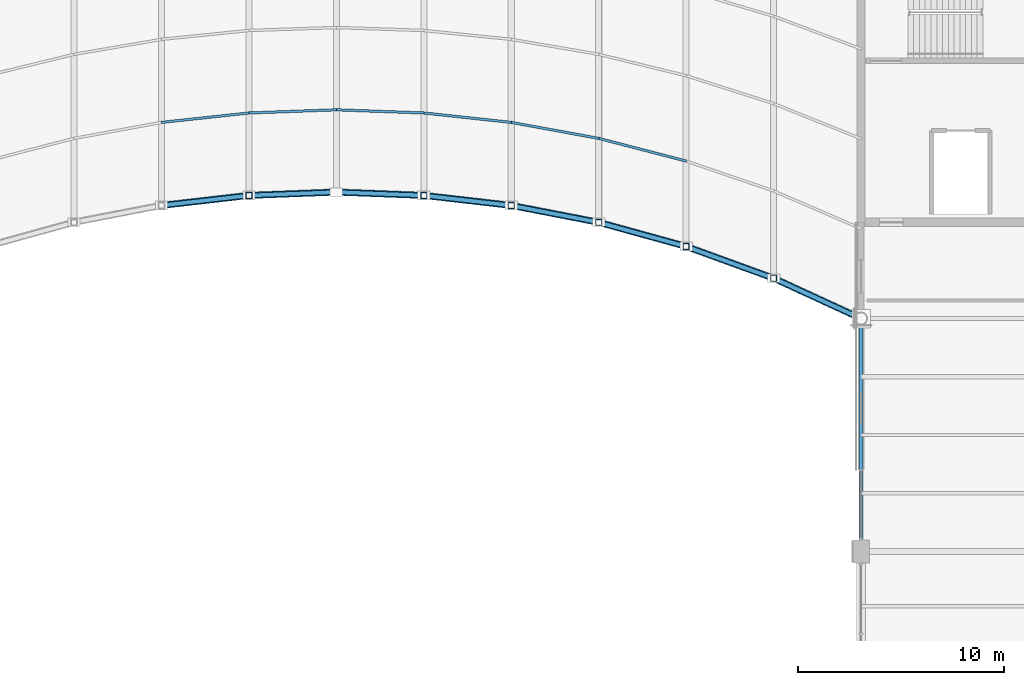
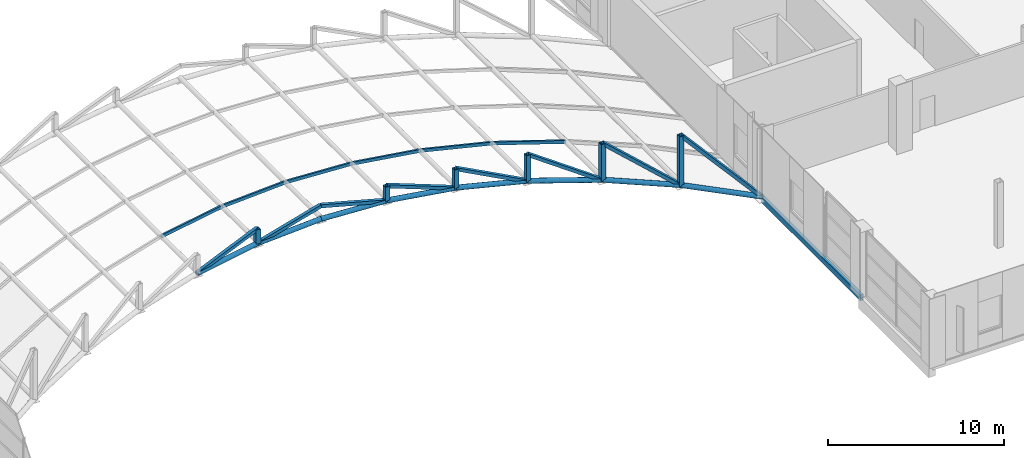
# One storey, part 30 of 101: 28 members, 1 beam.
"""IFC4 building model written with IfcOpenShell, lengths in metres."""

from ifc_helpers import new_model, si_unit, direction, frame, origin, origin_2d, place, context, subcontext, project, spatial, hollow_rectangle, hollow_circle, extrude, material, material_profile, profile_set, type_object, element, save


model = new_model("IFC4")

# Units and contexts
model_context = context("Model", 3, precision=1e-05, world=origin(), true_north=direction((0.0, 1.0)))
body_context = subcontext(model_context, "Body", "Model", "MODEL_VIEW")
ifc_project = project(units=[si_unit("LENGTHUNIT", "METRE"), si_unit("AREAUNIT", "SQUARE_METRE"), si_unit("VOLUMEUNIT", "CUBIC_METRE"), si_unit("PLANEANGLEUNIT", "RADIAN"), si_unit("MASSUNIT", "GRAM", prefix="KILO")], contexts=[model_context])

# Site, building, storey
site_placement = place(None, origin())
site = spatial("IfcSite", under=ifc_project, at=site_placement, CompositionType="ELEMENT")
building_placement = place(site_placement, origin())
building = spatial("IfcBuilding", under=site, at=building_placement, Name="Solvikara Media Centre", CompositionType="ELEMENT")
storey_placement = place(building_placement, frame((0.0, 0.0, 10.199951171875)))
storey = spatial("IfcBuildingStorey", under=building, at=storey_placement, Name="L02", CompositionType="ELEMENT", Elevation=10.199951171875)

# Beam
ifc_material = material(Name="Steel S355JR", Category="steel")
ifc_material_profile_1 = material_profile(ifc_material, hollow_rectangle(XDim=0.199951171875, YDim=0.39990234375, WallThickness=0.011962890625, at=origin_2d()), Name="RHS 400x200x12")
ifc_profile_set_1 = profile_set([ifc_material_profile_1], Name="Steel S355JR")
beam_type = type_object("IfcBeamType", Name="BM-33", PredefinedType="SPANDREL", material=ifc_profile_set_1)
beam_placement = place(storey_placement, frame((127.5, 8.0, -0.44189453125), z_axis=(0.0, 1.0, 0.0), x_axis=(-1.0, 0.0, 0.0)))
element("IfcBeam", 1, at=beam_placement, inside=storey, type_object=beam_type, Name="B-L02-Y0975", PredefinedType="SPANDREL", context=body_context, shape_type="SweptSolid", body=[
    extrude(hollow_rectangle(XDim=0.199951171875, YDim=0.39990234375, WallThickness=0.011962890625, at=origin_2d()), origin(), (0.0, 0.0, 1.0), 11.323974609375),
])

# Members
ifc_material_profile_2 = material_profile(ifc_material, hollow_circle(Radius=0.161865234375, WallThickness=0.012451171875, at=origin_2d()), Name="CHS 323.9x12.5")
ifc_profile_set_2 = profile_set([ifc_material_profile_2], Name="Steel S355JR")
member_type_1 = type_object("IfcMemberType", Name="MB-02", PredefinedType="CHORD", material=ifc_profile_set_2)
member_1_placement = place(storey_placement, frame((93.5, 24.818115234375, 2.944091796875), z_axis=(0.990989060478, 0.113512878366, 0.071102098836), x_axis=(-0.113800903571, 0.993503575407, 0.0)))
element("IfcMember", 2, at=member_1_placement, inside=storey, type_object=member_type_1, Name="ARC-S-CH-04", PredefinedType="CHORD", context=body_context, shape_type="SweptSolid", body=[
    extrude(hollow_circle(Radius=0.161865234375, WallThickness=0.012451171875, at=origin_2d()), origin(), (0.0, 0.0, 1.0), 4.28857421875),
])
for number, where, z_axis, x_axis, name in (
    (3, (97.75, 25.304931640625, 3.2490234375), (0.998991273756, 0.038104906122, 0.02375817942), (-0.038115664855, 0.999273334025, 0.0), "ARC-S-CH-05"),
    (4, (102.0, 25.467041015625, 3.35009765625), (0.998991273756, -0.038104906122, -0.02375817942), (0.038115664855, 0.999273334025, 0.0), "ARC-S-CH-06"),
):
    element("IfcMember", number, at=place(storey_placement, frame(where, z_axis=z_axis, x_axis=x_axis)), inside=storey, type_object=member_type_1, Name=name, PredefinedType="CHORD", context=body_context, shape_type="SweptSolid", body=[
        extrude(hollow_circle(Radius=0.161865234375, WallThickness=0.012451171875, at=origin_2d()), origin(), (0.0, 0.0, 1.0), 4.25439453125),
    ])
member_2_placement = place(storey_placement, frame((106.25, 25.304931640625, 3.2490234375), z_axis=(0.990989060478, -0.113512878366, -0.071102098836), x_axis=(0.113800903571, 0.993503575407, 0.0)))
element("IfcMember", 5, at=member_2_placement, inside=storey, type_object=member_type_1, Name="ARC-S-CH-07", PredefinedType="CHORD", context=body_context, shape_type="SweptSolid", body=[
    extrude(hollow_circle(Radius=0.161865234375, WallThickness=0.012451171875, at=origin_2d()), origin(), (0.0, 0.0, 1.0), 4.28857421875),
])
member_3_placement = place(storey_placement, frame((110.5, 24.818115234375, 2.944091796875), z_axis=(0.975161611913, -0.188612657819, -0.116125345904), x_axis=(0.189897396029, 0.981803941213, 0.0)))
element("IfcMember", 6, at=member_3_placement, inside=storey, type_object=member_type_1, Name="ARC-S-CH-08", PredefinedType="CHORD", context=body_context, shape_type="SweptSolid", body=[
    extrude(hollow_circle(Radius=0.161865234375, WallThickness=0.012451171875, at=origin_2d()), origin(), (0.0, 0.0, 1.0), 4.358154296875),
])
member_4_placement = place(storey_placement, frame((114.75, 23.99609375, 2.43798828125), z_axis=(0.951747866655, -0.262485150954, -0.158989131217), x_axis=(0.265866889221, 0.964009749544, 0.0)))
element("IfcMember", 7, at=member_4_placement, inside=storey, type_object=member_type_1, Name="ARC-S-CH-09", PredefinedType="CHORD", context=body_context, shape_type="SweptSolid", body=[
    extrude(hollow_circle(Radius=0.161865234375, WallThickness=0.012451171875, at=origin_2d()), origin(), (0.0, 0.0, 1.0), 4.465576171875),
])
member_5_placement = place(storey_placement, frame((119.0, 22.823974609375, 1.72802734375), z_axis=(0.921239201685, -0.334880610539, -0.197922484737), x_axis=(0.341639024821, 0.939831249065, 0.0)))
element("IfcMember", 8, at=member_5_placement, inside=storey, type_object=member_type_1, Name="ARC-S-CH-10", PredefinedType="CHORD", context=body_context, shape_type="SweptSolid", body=[
    extrude(hollow_circle(Radius=0.161865234375, WallThickness=0.012451171875, at=origin_2d()), origin(), (0.0, 0.0, 1.0), 4.61328125),
])
member_6_placement = place(storey_placement, frame((123.25, 21.279052734375, 0.81494140625), z_axis=(0.883729951341, -0.406532022653, -0.231847121311), x_axis=(0.417919391673, 0.908484112169, 0.0)))
element("IfcMember", 9, at=member_6_placement, inside=storey, type_object=member_type_1, Name="ARC-S-CH-11", PredefinedType="CHORD", context=body_context, shape_type="SweptSolid", body=[
    extrude(hollow_circle(Radius=0.161865234375, WallThickness=0.012451171875, at=origin_2d()), origin(), (0.0, 0.0, 1.0), 4.80908203125),
])
ifc_material_profile_3 = material_profile(ifc_material, hollow_rectangle(XDim=0.300048828125, YDim=0.300048828125, WallThickness=0.012451171875, at=origin_2d()), Name="RHS 300x300x12.5")
ifc_profile_set_3 = profile_set([ifc_material_profile_3], Name="Steel S355JR")
member_type_2 = type_object("IfcMemberType", Name="MB-11", PredefinedType="CHORD", material=ifc_profile_set_3)
for number, where, z_axis, x_axis, name in (
    (10, (97.75, 25.304931640625, 3.2490234375), (0.0, 0.0, 1.0), (1.0, 0.0, 0.0), "ARC-S-VT-05"),
    (11, (106.25, 25.304931640625, 3.2490234375), (0.0, 0.0, 1.0), (1.0, 0.0, 0.0), "ARC-S-VT-07"),
):
    element("IfcMember", number, at=place(storey_placement, frame(where, z_axis=z_axis, x_axis=x_axis)), inside=storey, type_object=member_type_2, Name=name, PredefinedType="CHORD", context=body_context, shape_type="SweptSolid", body=[
        extrude(hollow_rectangle(XDim=0.300048828125, YDim=0.300048828125, WallThickness=0.012451171875, at=origin_2d()), origin(), (0.0, 0.0, 1.0), 1.041015625),
    ])
member_7_placement = place(storey_placement, frame((110.5, 24.818115234375, 2.944091796875), z_axis=(0.0, 0.0, 1.0), x_axis=(1.0, 0.0, 0.0)))
element("IfcMember", 12, at=member_7_placement, inside=storey, type_object=member_type_2, Name="ARC-S-VT-08", PredefinedType="CHORD", context=body_context, shape_type="SweptSolid", body=[
    extrude(hollow_rectangle(XDim=0.300048828125, YDim=0.300048828125, WallThickness=0.012451171875, at=origin_2d()), origin(), (0.0, 0.0, 1.0), 1.345947265625),
])
member_8_placement = place(storey_placement, frame((114.75, 23.99609375, 2.43798828125), z_axis=(0.0, 0.0, 1.0), x_axis=(1.0, 0.0, 0.0)))
element("IfcMember", 13, at=member_8_placement, inside=storey, type_object=member_type_2, Name="ARC-S-VT-09", PredefinedType="CHORD", context=body_context, shape_type="SweptSolid", body=[
    extrude(hollow_rectangle(XDim=0.300048828125, YDim=0.300048828125, WallThickness=0.012451171875, at=origin_2d()), origin(), (0.0, 0.0, 1.0), 1.85205078125),
])
member_9_placement = place(storey_placement, frame((119.0, 22.823974609375, 1.72802734375), z_axis=(0.0, 0.0, 1.0), x_axis=(1.0, 0.0, 0.0)))
element("IfcMember", 14, at=member_9_placement, inside=storey, type_object=member_type_2, Name="ARC-S-VT-10", PredefinedType="CHORD", context=body_context, shape_type="SweptSolid", body=[
    extrude(hollow_rectangle(XDim=0.300048828125, YDim=0.300048828125, WallThickness=0.012451171875, at=origin_2d()), origin(), (0.0, 0.0, 1.0), 2.56201171875),
])
member_10_placement = place(storey_placement, frame((123.25, 21.279052734375, 0.81494140625), z_axis=(0.0, 0.0, 1.0), x_axis=(1.0, 0.0, 0.0)))
element("IfcMember", 15, at=member_10_placement, inside=storey, type_object=member_type_2, Name="ARC-S-VT-11", PredefinedType="CHORD", context=body_context, shape_type="SweptSolid", body=[
    extrude(hollow_rectangle(XDim=0.300048828125, YDim=0.300048828125, WallThickness=0.012451171875, at=origin_2d()), origin(), (0.0, 0.0, 1.0), 3.47509765625),
])
ifc_material_profile_4 = material_profile(ifc_material, hollow_rectangle(XDim=0.1201171875, YDim=0.219970703125, WallThickness=0.00634765625, at=origin_2d()), Name="RHS 220x120x6.3")
ifc_profile_set_4 = profile_set([ifc_material_profile_4], Name="Steel S355JR")
member_type_3 = type_object("IfcMemberType", Name="MB-16", PredefinedType="PURLIN", material=ifc_profile_set_4)
member_11_placement = place(storey_placement, frame((93.5, 28.85498046875, 3.083984375), z_axis=(0.991694959696, 0.10709940971, 0.071209713903), x_axis=(-0.10737198789, 0.994218917652, 0.0)))
element("IfcMember", 16, at=member_11_placement, inside=storey, type_object=member_type_3, Name="ARC-PRL-04-25", PredefinedType="PURLIN", context=body_context, shape_type="SweptSolid", body=[
    extrude(hollow_rectangle(XDim=0.1201171875, YDim=0.219970703125, WallThickness=0.00634765625, at=origin_2d()), origin(), (0.0, 0.0, 1.0), 4.28564453125),
])
for number, where, z_axis, x_axis, name in (
    (17, (97.75, 29.31396484375, 3.38916015625), (0.999071218904, 0.035984470028, 0.023702689189), (-0.035994582642, 0.999351985049, 0.0), "ARC-PRL-05-25"),
    (18, (102.0, 29.467041015625, 3.489990234375), (0.999071218904, -0.035984470028, -0.023702689189), (0.035994582642, 0.999351985049, 0.0), "ARC-PRL-06-25"),
):
    element("IfcMember", number, at=place(storey_placement, frame(where, z_axis=z_axis, x_axis=x_axis)), inside=storey, type_object=member_type_3, Name=name, PredefinedType="PURLIN", context=body_context, shape_type="SweptSolid", body=[
        extrude(hollow_rectangle(XDim=0.1201171875, YDim=0.219970703125, WallThickness=0.00634765625, at=origin_2d()), origin(), (0.0, 0.0, 1.0), 4.25390625),
    ])
member_12_placement = place(storey_placement, frame((106.25, 29.31396484375, 3.38916015625), z_axis=(0.991694959696, -0.10709940971, -0.071209713903), x_axis=(0.10737198789, 0.994218917652, 0.0)))
element("IfcMember", 19, at=member_12_placement, inside=storey, type_object=member_type_3, Name="ARC-PRL-07-25", PredefinedType="PURLIN", context=body_context, shape_type="SweptSolid", body=[
    extrude(hollow_rectangle(XDim=0.1201171875, YDim=0.219970703125, WallThickness=0.00634765625, at=origin_2d()), origin(), (0.0, 0.0, 1.0), 4.28564453125),
])
member_13_placement = place(storey_placement, frame((110.5, 28.85498046875, 3.083984375), z_axis=(0.977066182976, -0.178372950913, -0.11629602086), x_axis=(0.179591551983, 0.98374126398, 0.0)))
element("IfcMember", 20, at=member_13_placement, inside=storey, type_object=member_type_3, Name="ARC-PRL-08-25", PredefinedType="PURLIN", context=body_context, shape_type="SweptSolid", body=[
    extrude(hollow_rectangle(XDim=0.1201171875, YDim=0.219970703125, WallThickness=0.00634765625, at=origin_2d()), origin(), (0.0, 0.0, 1.0), 4.349853515625),
])
member_14_placement = place(storey_placement, frame((114.75, 28.0791015625, 2.578125), z_axis=(0.95552159622, -0.247992105453, -0.159619531354), x_axis=(0.251213005733, 0.967931829082, 0.0)))
element("IfcMember", 21, at=member_14_placement, inside=storey, type_object=member_type_3, Name="ARC-PRL-09-25", PredefinedType="PURLIN", context=body_context, shape_type="SweptSolid", body=[
    extrude(hollow_rectangle(XDim=0.1201171875, YDim=0.219970703125, WallThickness=0.00634765625, at=origin_2d()), origin(), (0.0, 0.0, 1.0), 4.44775390625),
])
ifc_material_profile_5 = material_profile(ifc_material, hollow_rectangle(XDim=0.219970703125, YDim=0.219970703125, WallThickness=0.010009765625, at=origin_2d()), Name="RHS 220x220x10")
ifc_profile_set_5 = profile_set([ifc_material_profile_5], Name="Steel S355JR")
member_type_4 = type_object("IfcMemberType", Name="MB-30", PredefinedType="BRACE", material=ifc_profile_set_5)
member_15_placement = place(storey_placement, frame((93.5, 24.818115234375, 2.944091796875), z_axis=(0.947701140467, 0.108554461977, 0.300130766739), x_axis=(-0.113800903571, 0.993503575407, 0.0)))
element("IfcMember", 22, at=member_15_placement, inside=storey, type_object=member_type_4, Name="ARC-S-DG-04", PredefinedType="BRACE", context=body_context, shape_type="SweptSolid", body=[
    extrude(hollow_rectangle(XDim=0.219970703125, YDim=0.219970703125, WallThickness=0.010009765625, at=origin_2d()), origin(), (0.0, 0.0, 1.0), 4.484619140625),
])
for number, where, z_axis, x_axis, name in (
    (23, (97.75, 25.304931640625, 3.2490234375), (0.97062089498, 0.037022763917, 0.237748592383), (-0.038115664855, 0.999273334025, 0.0), "ARC-S-DG-05"),
    (24, (102.0, 25.467041015625, 4.2900390625), (0.97062089498, -0.037022763917, -0.237748592383), (0.038115664855, 0.999273334025, 0.0), "ARC-S-DG-06"),
):
    element("IfcMember", number, at=place(storey_placement, frame(where, z_axis=z_axis, x_axis=x_axis)), inside=storey, type_object=member_type_4, Name=name, PredefinedType="BRACE", context=body_context, shape_type="SweptSolid", body=[
        extrude(hollow_rectangle(XDim=0.219970703125, YDim=0.219970703125, WallThickness=0.010009765625, at=origin_2d()), origin(), (0.0, 0.0, 1.0), 4.378662109375),
    ])
member_16_placement = place(storey_placement, frame((106.25, 25.304931640625, 4.2900390625), z_axis=(0.947701140467, -0.108554461977, -0.300130766739), x_axis=(0.113800903571, 0.993503575407, 0.0)))
element("IfcMember", 25, at=member_16_placement, inside=storey, type_object=member_type_4, Name="ARC-S-DG-07", PredefinedType="BRACE", context=body_context, shape_type="SweptSolid", body=[
    extrude(hollow_rectangle(XDim=0.219970703125, YDim=0.219970703125, WallThickness=0.010009765625, at=origin_2d()), origin(), (0.0, 0.0, 1.0), 4.484619140625),
])
member_17_placement = place(storey_placement, frame((110.5, 24.818115234375, 4.2900390625), z_axis=(0.902656727278, -0.174588993609, -0.393356728696), x_axis=(0.189897396029, 0.981803941213, 0.0)))
element("IfcMember", 26, at=member_17_placement, inside=storey, type_object=member_type_4, Name="ARC-S-DG-08", PredefinedType="BRACE", context=body_context, shape_type="SweptSolid", body=[
    extrude(hollow_rectangle(XDim=0.219970703125, YDim=0.219970703125, WallThickness=0.010009765625, at=origin_2d()), origin(), (0.0, 0.0, 1.0), 4.708251953125),
])
member_18_placement = place(storey_placement, frame((114.75, 23.99609375, 4.2900390625), z_axis=(0.833489289463, -0.229870294044, -0.502449253425), x_axis=(0.265866889221, 0.964009749544, 0.0)))
element("IfcMember", 27, at=member_18_placement, inside=storey, type_object=member_type_4, Name="ARC-S-DG-09", PredefinedType="BRACE", context=body_context, shape_type="SweptSolid", body=[
    extrude(hollow_rectangle(XDim=0.219970703125, YDim=0.219970703125, WallThickness=0.010009765625, at=origin_2d()), origin(), (0.0, 0.0, 1.0), 5.09912109375),
])
member_19_placement = place(storey_placement, frame((119.0, 22.823974609375, 4.2900390625), z_axis=(0.74520602297, -0.270890608534, -0.609332636199), x_axis=(0.341639024821, 0.939831249065, 0.0)))
element("IfcMember", 28, at=member_19_placement, inside=storey, type_object=member_type_4, Name="ARC-S-DG-10", PredefinedType="BRACE", context=body_context, shape_type="SweptSolid", body=[
    extrude(hollow_rectangle(XDim=0.219970703125, YDim=0.219970703125, WallThickness=0.010009765625, at=origin_2d()), origin(), (0.0, 0.0, 1.0), 5.703125),
])
member_20_placement = place(storey_placement, frame((123.25, 21.279052734375, 4.2900390625), z_axis=(0.648467853392, -0.298307132925, -0.700358692074), x_axis=(0.417919391673, 0.908484112169, 0.0)))
element("IfcMember", 29, at=member_20_placement, inside=storey, type_object=member_type_4, Name="ARC-S-DG-11", PredefinedType="BRACE", context=body_context, shape_type="SweptSolid", body=[
    extrude(hollow_rectangle(XDim=0.219970703125, YDim=0.219970703125, WallThickness=0.010009765625, at=origin_2d()), origin(), (0.0, 0.0, 1.0), 6.553955078125),
])

save(model, "model.ifc")
